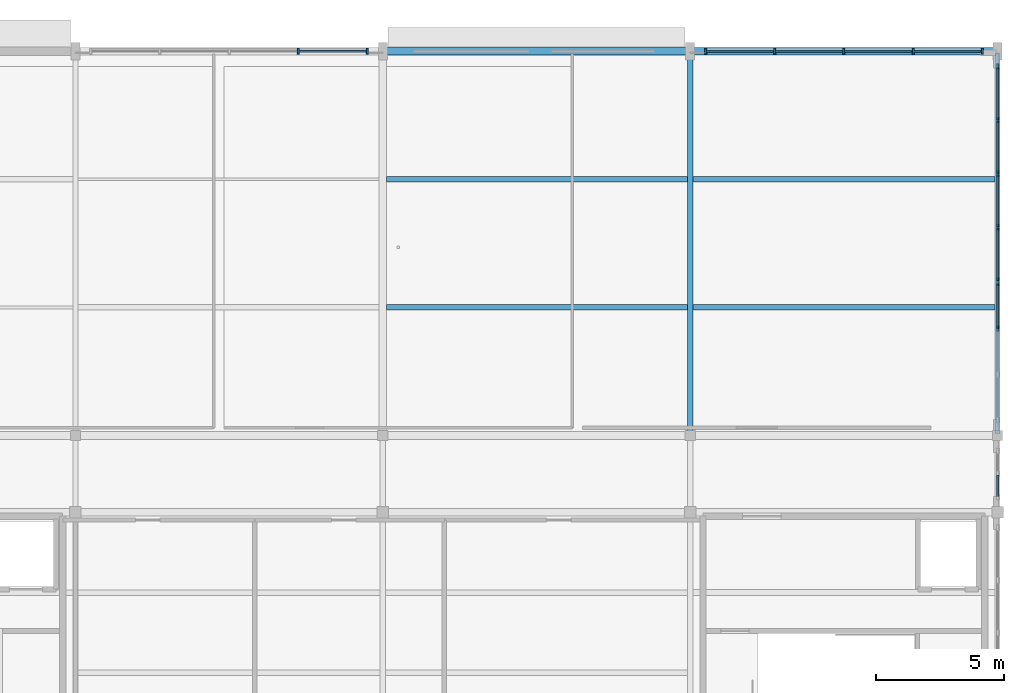
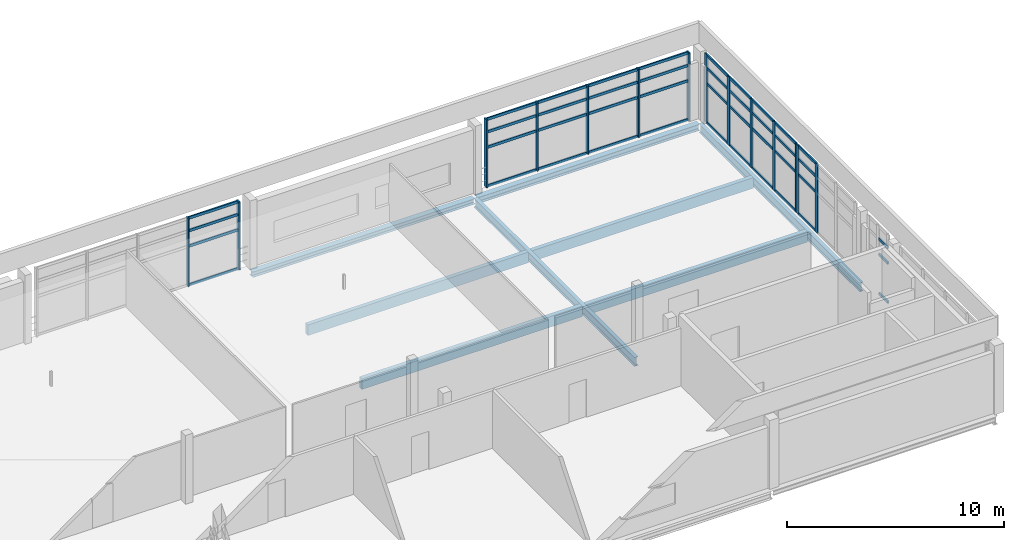
# One storey, part 3 of 9: 57 members, 8 beams, 5 elements without a shape of their own.
"""IFC4 building model written with IfcOpenShell, lengths in metres."""

from ifc_helpers import new_model, si_unit, direction, frame, origin, origin_2d, place, context, subcontext, project, spatial, rectangle, i_section, extrude, material, material_profile, profile_set, type_object, element, aggregate, save


model = new_model("IFC4")

# Units and contexts
model_context = context("Model", 3, precision=1e-05, world=origin(), true_north=direction((0.0, 1.0)))
body_context = subcontext(model_context, "Body", "Model", "MODEL_VIEW")
ifc_project = project(units=[si_unit("LENGTHUNIT", "METRE"), si_unit("AREAUNIT", "SQUARE_METRE"), si_unit("VOLUMEUNIT", "CUBIC_METRE"), si_unit("PLANEANGLEUNIT", "RADIAN"), si_unit("MASSUNIT", "GRAM", prefix="KILO"), si_unit("THERMODYNAMICTEMPERATUREUNIT", "KELVIN"), si_unit("POWERUNIT", "WATT")], contexts=[model_context])

# Site, building, storey
site_placement = place(None, origin())
site = spatial("IfcSite", under=ifc_project, at=site_placement, CompositionType="ELEMENT")
building_placement = place(site_placement, origin())
building = spatial("IfcBuilding", under=site, at=building_placement, Name="Solmara Park Aquatics Centre", CompositionType="ELEMENT")
storey_placement = place(building_placement, frame((0.0, 0.0, 18.60009765625)))
storey = spatial("IfcBuildingStorey", under=building, at=storey_placement, Name="L04", CompositionType="ELEMENT", Elevation=18.60009765625)

# Curtain wall, members
ifc_material_1 = material(Name="Anodised Aluminium Curtain Wall Framing", Category="aluminium")
curtain_wall_type_1 = type_object("IfcCurtainWallType", Name="ARC-CW-SYS04", PredefinedType="USERDEFINED", material=ifc_material_1)
curtain_wall_1_placement = place(storey_placement, origin())
curtain_wall_1 = element("IfcCurtainWall", 1, at=curtain_wall_1_placement, inside=storey, type_object=curtain_wall_type_1, Name="Curtain Wall CW-132", ObjectType="CURTAIN WALL", PredefinedType="USERDEFINED")
ifc_material_2 = material(Name="Anodised Aluminium Alloy 6063-T6", Category="aluminium")
ifc_material_profile_1 = material_profile(ifc_material_2, rectangle(XDim=0.074951171875, YDim=0.219970703125, at=origin_2d()), Name="ALU MULLION 75x220")
ifc_profile_set_1 = profile_set([ifc_material_profile_1], Name="Anodised Aluminium Alloy 6063-T6")
member_type_1 = type_object("IfcMemberType", Name="ARC-CWM-75x220", PredefinedType="MULLION", material=ifc_profile_set_1)
member_1_placement = place(storey_placement, frame((69.300048828125, 136.0, 0.0), z_axis=(0.0, 0.0, 1.0), x_axis=(1.0, 0.0, 0.0)))
member_1 = element("IfcMember", 2, at=member_1_placement, type_object=member_type_1, Name="CW-132 mullion 4", PredefinedType="MULLION", context=body_context, shape_type="SweptSolid", body=[
    extrude(rectangle(XDim=0.074951171875, YDim=0.219970703125, at=origin_2d()), origin(), (0.0, 0.0, 1.0), 3.83984375),
])
member_2_placement = place(storey_placement, frame((72.0, 136.0, 0.0), z_axis=(0.0, 0.0, 1.0), x_axis=(1.0, 0.0, 0.0)))
member_2 = element("IfcMember", 3, at=member_2_placement, type_object=member_type_1, Name="CW-132 mullion 5", PredefinedType="MULLION", context=body_context, shape_type="SweptSolid", body=[
    extrude(rectangle(XDim=0.074951171875, YDim=0.219970703125, at=origin_2d()), origin(), (0.0, 0.0, 1.0), 3.83984375),
])

curtain_wall_2_placement = place(storey_placement, origin())
curtain_wall_2 = element("IfcCurtainWall", 4, at=curtain_wall_2_placement, inside=storey, type_object=curtain_wall_type_1, Name="Curtain Wall CW-133", ObjectType="CURTAIN WALL", PredefinedType="USERDEFINED")
member_3_placement = place(storey_placement, frame((85.199951171875, 136.0, 0.0), z_axis=(0.0, 0.0, 1.0), x_axis=(1.0, 0.0, 0.0)))
member_3 = element("IfcMember", 5, at=member_3_placement, type_object=member_type_1, Name="CW-133 mullion 1", PredefinedType="MULLION", context=body_context, shape_type="SweptSolid", body=[
    extrude(rectangle(XDim=0.074951171875, YDim=0.219970703125, at=origin_2d()), origin(), (0.0, 0.0, 1.0), 3.83984375),
])
member_4_placement = place(storey_placement, frame((87.89990234375, 136.0, 0.0), z_axis=(0.0, 0.0, 1.0), x_axis=(1.0, 0.0, 0.0)))
member_4 = element("IfcMember", 6, at=member_4_placement, type_object=member_type_1, Name="CW-133 mullion 2", PredefinedType="MULLION", context=body_context, shape_type="SweptSolid", body=[
    extrude(rectangle(XDim=0.074951171875, YDim=0.219970703125, at=origin_2d()), origin(), (0.0, 0.0, 1.0), 3.83984375),
])
member_5_placement = place(storey_placement, frame((90.60009765625, 136.0, 0.0), z_axis=(0.0, 0.0, 1.0), x_axis=(1.0, 0.0, 0.0)))
member_5 = element("IfcMember", 7, at=member_5_placement, type_object=member_type_1, Name="CW-133 mullion 3", PredefinedType="MULLION", context=body_context, shape_type="SweptSolid", body=[
    extrude(rectangle(XDim=0.074951171875, YDim=0.219970703125, at=origin_2d()), origin(), (0.0, 0.0, 1.0), 3.83984375),
])
member_6_placement = place(storey_placement, frame((93.300048828125, 136.0, 0.0), z_axis=(0.0, 0.0, 1.0), x_axis=(1.0, 0.0, 0.0)))
member_6 = element("IfcMember", 8, at=member_6_placement, type_object=member_type_1, Name="CW-133 mullion 4", PredefinedType="MULLION", context=body_context, shape_type="SweptSolid", body=[
    extrude(rectangle(XDim=0.074951171875, YDim=0.219970703125, at=origin_2d()), origin(), (0.0, 0.0, 1.0), 3.83984375),
])
member_7_placement = place(storey_placement, frame((96.0, 136.0, 0.0), z_axis=(0.0, 0.0, 1.0), x_axis=(1.0, 0.0, 0.0)))
member_7 = element("IfcMember", 9, at=member_7_placement, type_object=member_type_1, Name="CW-133 mullion 5", PredefinedType="MULLION", context=body_context, shape_type="SweptSolid", body=[
    extrude(rectangle(XDim=0.074951171875, YDim=0.219970703125, at=origin_2d()), origin(), (0.0, 0.0, 1.0), 3.83984375),
])

curtain_wall_type_2 = type_object("IfcCurtainWallType", Name="ARC-CW-SYS06", PredefinedType="USERDEFINED", material=ifc_material_1)
curtain_wall_3_placement = place(storey_placement, origin())
curtain_wall_3 = element("IfcCurtainWall", 10, at=curtain_wall_3_placement, inside=storey, type_object=curtain_wall_type_2, Name="Curtain Wall CW-136", ObjectType="CURTAIN WALL", PredefinedType="USERDEFINED")
member_8_placement = place(storey_placement, frame((96.60009765625, 125.17333984375, 0.0), z_axis=(0.0, 0.0, 1.0), x_axis=(1.0, 0.0, 0.0)))
member_8 = element("IfcMember", 11, at=member_8_placement, type_object=member_type_1, Name="CW-136 mullion 3", PredefinedType="MULLION", context=body_context, shape_type="SweptSolid", body=[
    extrude(rectangle(XDim=0.074951171875, YDim=0.219970703125, at=origin_2d()), origin(), (0.0, 0.0, 1.0), 3.8798828125),
])
member_9_placement = place(storey_placement, frame((96.60009765625, 126.9599609375, 0.0), z_axis=(0.0, 0.0, 1.0), x_axis=(1.0, 0.0, 0.0)))
member_9 = element("IfcMember", 12, at=member_9_placement, type_object=member_type_1, Name="CW-136 mullion 4", PredefinedType="MULLION", context=body_context, shape_type="SweptSolid", body=[
    extrude(rectangle(XDim=0.074951171875, YDim=0.219970703125, at=origin_2d()), origin(), (0.0, 0.0, 1.0), 3.8798828125),
])

curtain_wall_4_placement = place(storey_placement, origin())
curtain_wall_4 = element("IfcCurtainWall", 13, at=curtain_wall_4_placement, inside=storey, type_object=curtain_wall_type_2, Name="Curtain Wall CW-137", ObjectType="CURTAIN WALL", PredefinedType="USERDEFINED")
member_10_placement = place(storey_placement, frame((96.60009765625, 127.0400390625, 0.0), z_axis=(0.0, 0.0, 1.0), x_axis=(1.0, 0.0, 0.0)))
member_10 = element("IfcMember", 14, at=member_10_placement, type_object=member_type_1, Name="CW-137 mullion 1", PredefinedType="MULLION", context=body_context, shape_type="SweptSolid", body=[
    extrude(rectangle(XDim=0.074951171875, YDim=0.219970703125, at=origin_2d()), origin(), (0.0, 0.0, 1.0), 3.8798828125),
])
member_11_placement = place(storey_placement, frame((96.60009765625, 129.1298828125, 0.0), z_axis=(0.0, 0.0, 1.0), x_axis=(1.0, 0.0, 0.0)))
member_11 = element("IfcMember", 15, at=member_11_placement, type_object=member_type_1, Name="CW-137 mullion 2", PredefinedType="MULLION", context=body_context, shape_type="SweptSolid", body=[
    extrude(rectangle(XDim=0.074951171875, YDim=0.219970703125, at=origin_2d()), origin(), (0.0, 0.0, 1.0), 3.8798828125),
])
member_12_placement = place(storey_placement, frame((96.60009765625, 131.219970703125, 0.0), z_axis=(0.0, 0.0, 1.0), x_axis=(1.0, 0.0, 0.0)))
member_12 = element("IfcMember", 16, at=member_12_placement, type_object=member_type_1, Name="CW-137 mullion 3", PredefinedType="MULLION", context=body_context, shape_type="SweptSolid", body=[
    extrude(rectangle(XDim=0.074951171875, YDim=0.219970703125, at=origin_2d()), origin(), (0.0, 0.0, 1.0), 3.8798828125),
])
member_13_placement = place(storey_placement, frame((96.60009765625, 133.31005859375, 0.0), z_axis=(0.0, 0.0, 1.0), x_axis=(1.0, 0.0, 0.0)))
member_13 = element("IfcMember", 17, at=member_13_placement, type_object=member_type_1, Name="CW-137 mullion 4", PredefinedType="MULLION", context=body_context, shape_type="SweptSolid", body=[
    extrude(rectangle(XDim=0.074951171875, YDim=0.219970703125, at=origin_2d()), origin(), (0.0, 0.0, 1.0), 3.8798828125),
])
member_14_placement = place(storey_placement, frame((96.60009765625, 135.39990234375, 0.0), z_axis=(0.0, 0.0, 1.0), x_axis=(1.0, 0.0, 0.0)))
member_14 = element("IfcMember", 18, at=member_14_placement, type_object=member_type_1, Name="CW-137 mullion 5", PredefinedType="MULLION", context=body_context, shape_type="SweptSolid", body=[
    extrude(rectangle(XDim=0.074951171875, YDim=0.219970703125, at=origin_2d()), origin(), (0.0, 0.0, 1.0), 3.8798828125),
])

# Member
ifc_material_profile_2 = material_profile(ifc_material_2, rectangle(XDim=0.074951171875, YDim=0.14990234375, at=origin_2d()), Name="ALU TRANSOM 75x150")
ifc_profile_set_2 = profile_set([ifc_material_profile_2], Name="Anodised Aluminium Alloy 6063-T6")
member_type_2 = type_object("IfcMemberType", Name="ARC-CWT-75x150", PredefinedType="USERDEFINED", material=ifc_profile_set_2)
member_15_placement = place(storey_placement, frame((69.320068359375, 136.0, 0.039794921875), z_axis=(1.0, 0.0, 0.0), x_axis=(0.0, 1.0, 0.0)))
member_15 = element("IfcMember", 19, at=member_15_placement, type_object=member_type_2, Name="CW-132 transom 13", ObjectType="TRANSOM", PredefinedType="USERDEFINED", context=body_context, shape_type="SweptSolid", body=[
    extrude(rectangle(XDim=0.074951171875, YDim=0.14990234375, at=origin_2d()), origin(), (0.0, 0.0, 1.0), 2.619873046875),
])

member_16_placement = place(storey_placement, frame((69.320068359375, 136.0, 2.22705078125), z_axis=(1.0, 0.0, 0.0), x_axis=(0.0, 1.0, 0.0)))
member_16 = element("IfcMember", 20, at=member_16_placement, type_object=member_type_2, Name="CW-132 transom 14", ObjectType="TRANSOM", PredefinedType="USERDEFINED", context=body_context, shape_type="SweptSolid", body=[
    extrude(rectangle(XDim=0.074951171875, YDim=0.14990234375, at=origin_2d()), origin(), (0.0, 0.0, 1.0), 2.619873046875),
])

member_17_placement = place(storey_placement, frame((69.320068359375, 136.0, 3.08984375), z_axis=(1.0, 0.0, 0.0), x_axis=(0.0, 1.0, 0.0)))
member_17 = element("IfcMember", 21, at=member_17_placement, type_object=member_type_2, Name="CW-132 transom 15", ObjectType="TRANSOM", PredefinedType="USERDEFINED", context=body_context, shape_type="SweptSolid", body=[
    extrude(rectangle(XDim=0.074951171875, YDim=0.14990234375, at=origin_2d()), origin(), (0.0, 0.0, 1.0), 2.619873046875),
])

member_18_placement = place(storey_placement, frame((69.320068359375, 136.0, 3.7998046875), z_axis=(1.0, 0.0, 0.0), x_axis=(0.0, 1.0, 0.0)))
member_18 = element("IfcMember", 22, at=member_18_placement, type_object=member_type_2, Name="CW-132 transom 16", ObjectType="TRANSOM", PredefinedType="USERDEFINED", context=body_context, shape_type="SweptSolid", body=[
    extrude(rectangle(XDim=0.074951171875, YDim=0.14990234375, at=origin_2d()), origin(), (0.0, 0.0, 1.0), 2.619873046875),
])

aggregate(curtain_wall_1, [member_1, member_2, member_15, member_16, member_17, member_18])

member_19_placement = place(storey_placement, frame((85.219970703125, 136.0, 0.039794921875), z_axis=(1.0, 0.0, 0.0), x_axis=(0.0, 1.0, 0.0)))
member_19 = element("IfcMember", 23, at=member_19_placement, type_object=member_type_2, Name="CW-133 transom 1", ObjectType="TRANSOM", PredefinedType="USERDEFINED", context=body_context, shape_type="SweptSolid", body=[
    extrude(rectangle(XDim=0.074951171875, YDim=0.14990234375, at=origin_2d()), origin(), (0.0, 0.0, 1.0), 2.6201171875),
])

member_20_placement = place(storey_placement, frame((85.219970703125, 136.0, 2.22705078125), z_axis=(1.0, 0.0, 0.0), x_axis=(0.0, 1.0, 0.0)))
member_20 = element("IfcMember", 24, at=member_20_placement, type_object=member_type_2, Name="CW-133 transom 2", ObjectType="TRANSOM", PredefinedType="USERDEFINED", context=body_context, shape_type="SweptSolid", body=[
    extrude(rectangle(XDim=0.074951171875, YDim=0.14990234375, at=origin_2d()), origin(), (0.0, 0.0, 1.0), 2.6201171875),
])

member_21_placement = place(storey_placement, frame((85.219970703125, 136.0, 3.08984375), z_axis=(1.0, 0.0, 0.0), x_axis=(0.0, 1.0, 0.0)))
member_21 = element("IfcMember", 25, at=member_21_placement, type_object=member_type_2, Name="CW-133 transom 3", ObjectType="TRANSOM", PredefinedType="USERDEFINED", context=body_context, shape_type="SweptSolid", body=[
    extrude(rectangle(XDim=0.074951171875, YDim=0.14990234375, at=origin_2d()), origin(), (0.0, 0.0, 1.0), 2.6201171875),
])

member_22_placement = place(storey_placement, frame((85.219970703125, 136.0, 3.7998046875), z_axis=(1.0, 0.0, 0.0), x_axis=(0.0, 1.0, 0.0)))
member_22 = element("IfcMember", 26, at=member_22_placement, type_object=member_type_2, Name="CW-133 transom 4", ObjectType="TRANSOM", PredefinedType="USERDEFINED", context=body_context, shape_type="SweptSolid", body=[
    extrude(rectangle(XDim=0.074951171875, YDim=0.14990234375, at=origin_2d()), origin(), (0.0, 0.0, 1.0), 2.6201171875),
])

member_23_placement = place(storey_placement, frame((87.919921875, 136.0, 0.039794921875), z_axis=(1.0, 0.0, 0.0), x_axis=(0.0, 1.0, 0.0)))
member_23 = element("IfcMember", 27, at=member_23_placement, type_object=member_type_2, Name="CW-133 transom 5", ObjectType="TRANSOM", PredefinedType="USERDEFINED", context=body_context, shape_type="SweptSolid", body=[
    extrude(rectangle(XDim=0.074951171875, YDim=0.14990234375, at=origin_2d()), origin(), (0.0, 0.0, 1.0), 2.6201171875),
])

member_24_placement = place(storey_placement, frame((87.919921875, 136.0, 2.22705078125), z_axis=(1.0, 0.0, 0.0), x_axis=(0.0, 1.0, 0.0)))
member_24 = element("IfcMember", 28, at=member_24_placement, type_object=member_type_2, Name="CW-133 transom 6", ObjectType="TRANSOM", PredefinedType="USERDEFINED", context=body_context, shape_type="SweptSolid", body=[
    extrude(rectangle(XDim=0.074951171875, YDim=0.14990234375, at=origin_2d()), origin(), (0.0, 0.0, 1.0), 2.6201171875),
])

member_25_placement = place(storey_placement, frame((87.919921875, 136.0, 3.08984375), z_axis=(1.0, 0.0, 0.0), x_axis=(0.0, 1.0, 0.0)))
member_25 = element("IfcMember", 29, at=member_25_placement, type_object=member_type_2, Name="CW-133 transom 7", ObjectType="TRANSOM", PredefinedType="USERDEFINED", context=body_context, shape_type="SweptSolid", body=[
    extrude(rectangle(XDim=0.074951171875, YDim=0.14990234375, at=origin_2d()), origin(), (0.0, 0.0, 1.0), 2.6201171875),
])

member_26_placement = place(storey_placement, frame((87.919921875, 136.0, 3.7998046875), z_axis=(1.0, 0.0, 0.0), x_axis=(0.0, 1.0, 0.0)))
member_26 = element("IfcMember", 30, at=member_26_placement, type_object=member_type_2, Name="CW-133 transom 8", ObjectType="TRANSOM", PredefinedType="USERDEFINED", context=body_context, shape_type="SweptSolid", body=[
    extrude(rectangle(XDim=0.074951171875, YDim=0.14990234375, at=origin_2d()), origin(), (0.0, 0.0, 1.0), 2.6201171875),
])

member_27_placement = place(storey_placement, frame((90.6201171875, 136.0, 0.039794921875), z_axis=(1.0, 0.0, 0.0), x_axis=(0.0, 1.0, 0.0)))
member_27 = element("IfcMember", 31, at=member_27_placement, type_object=member_type_2, Name="CW-133 transom 9", ObjectType="TRANSOM", PredefinedType="USERDEFINED", context=body_context, shape_type="SweptSolid", body=[
    extrude(rectangle(XDim=0.074951171875, YDim=0.14990234375, at=origin_2d()), origin(), (0.0, 0.0, 1.0), 2.619873046875),
])

member_28_placement = place(storey_placement, frame((90.6201171875, 136.0, 2.22705078125), z_axis=(1.0, 0.0, 0.0), x_axis=(0.0, 1.0, 0.0)))
member_28 = element("IfcMember", 32, at=member_28_placement, type_object=member_type_2, Name="CW-133 transom 10", ObjectType="TRANSOM", PredefinedType="USERDEFINED", context=body_context, shape_type="SweptSolid", body=[
    extrude(rectangle(XDim=0.074951171875, YDim=0.14990234375, at=origin_2d()), origin(), (0.0, 0.0, 1.0), 2.619873046875),
])

member_29_placement = place(storey_placement, frame((90.6201171875, 136.0, 3.08984375), z_axis=(1.0, 0.0, 0.0), x_axis=(0.0, 1.0, 0.0)))
member_29 = element("IfcMember", 33, at=member_29_placement, type_object=member_type_2, Name="CW-133 transom 11", ObjectType="TRANSOM", PredefinedType="USERDEFINED", context=body_context, shape_type="SweptSolid", body=[
    extrude(rectangle(XDim=0.074951171875, YDim=0.14990234375, at=origin_2d()), origin(), (0.0, 0.0, 1.0), 2.619873046875),
])

member_30_placement = place(storey_placement, frame((90.6201171875, 136.0, 3.7998046875), z_axis=(1.0, 0.0, 0.0), x_axis=(0.0, 1.0, 0.0)))
member_30 = element("IfcMember", 34, at=member_30_placement, type_object=member_type_2, Name="CW-133 transom 12", ObjectType="TRANSOM", PredefinedType="USERDEFINED", context=body_context, shape_type="SweptSolid", body=[
    extrude(rectangle(XDim=0.074951171875, YDim=0.14990234375, at=origin_2d()), origin(), (0.0, 0.0, 1.0), 2.619873046875),
])

member_31_placement = place(storey_placement, frame((93.320068359375, 136.0, 0.039794921875), z_axis=(1.0, 0.0, 0.0), x_axis=(0.0, 1.0, 0.0)))
member_31 = element("IfcMember", 35, at=member_31_placement, type_object=member_type_2, Name="CW-133 transom 13", ObjectType="TRANSOM", PredefinedType="USERDEFINED", context=body_context, shape_type="SweptSolid", body=[
    extrude(rectangle(XDim=0.074951171875, YDim=0.14990234375, at=origin_2d()), origin(), (0.0, 0.0, 1.0), 2.619873046875),
])

member_32_placement = place(storey_placement, frame((93.320068359375, 136.0, 2.22705078125), z_axis=(1.0, 0.0, 0.0), x_axis=(0.0, 1.0, 0.0)))
member_32 = element("IfcMember", 36, at=member_32_placement, type_object=member_type_2, Name="CW-133 transom 14", ObjectType="TRANSOM", PredefinedType="USERDEFINED", context=body_context, shape_type="SweptSolid", body=[
    extrude(rectangle(XDim=0.074951171875, YDim=0.14990234375, at=origin_2d()), origin(), (0.0, 0.0, 1.0), 2.619873046875),
])

member_33_placement = place(storey_placement, frame((93.320068359375, 136.0, 3.08984375), z_axis=(1.0, 0.0, 0.0), x_axis=(0.0, 1.0, 0.0)))
member_33 = element("IfcMember", 37, at=member_33_placement, type_object=member_type_2, Name="CW-133 transom 15", ObjectType="TRANSOM", PredefinedType="USERDEFINED", context=body_context, shape_type="SweptSolid", body=[
    extrude(rectangle(XDim=0.074951171875, YDim=0.14990234375, at=origin_2d()), origin(), (0.0, 0.0, 1.0), 2.619873046875),
])

member_34_placement = place(storey_placement, frame((93.320068359375, 136.0, 3.7998046875), z_axis=(1.0, 0.0, 0.0), x_axis=(0.0, 1.0, 0.0)))
member_34 = element("IfcMember", 38, at=member_34_placement, type_object=member_type_2, Name="CW-133 transom 16", ObjectType="TRANSOM", PredefinedType="USERDEFINED", context=body_context, shape_type="SweptSolid", body=[
    extrude(rectangle(XDim=0.074951171875, YDim=0.14990234375, at=origin_2d()), origin(), (0.0, 0.0, 1.0), 2.619873046875),
])

aggregate(curtain_wall_2, [member_3, member_4, member_5, member_6, member_7, member_19, member_20, member_21, member_22, member_23, member_24, member_25, member_26, member_27, member_28, member_29, member_30, member_31, member_32, member_33, member_34])

# Curtain wall, members
curtain_wall_5_placement = place(storey_placement, origin())
curtain_wall_5 = element("IfcCurtainWall", 39, at=curtain_wall_5_placement, inside=storey, type_object=curtain_wall_type_2, Name="Curtain Wall CW-135", ObjectType="CURTAIN WALL", PredefinedType="USERDEFINED")
member_35_placement = place(storey_placement, frame((96.60009765625, 118.6201171875, 0.039794921875), z_axis=(0.0, 1.0, 0.0), x_axis=(-1.0, 0.0, 0.0)))
member_35 = element("IfcMember", 40, at=member_35_placement, type_object=member_type_2, Name="CW-135 transom 1", ObjectType="TRANSOM", PredefinedType="USERDEFINED", context=body_context, shape_type="SweptSolid", body=[
    extrude(rectangle(XDim=0.074951171875, YDim=0.14990234375, at=origin_2d()), origin(), (0.0, 0.0, 1.0), 0.81982421875),
])
member_36_placement = place(storey_placement, frame((96.60009765625, 118.6201171875, 2.250244140625), z_axis=(0.0, 1.0, 0.0), x_axis=(-1.0, 0.0, 0.0)))
member_36 = element("IfcMember", 41, at=member_36_placement, type_object=member_type_2, Name="CW-135 transom 2", ObjectType="TRANSOM", PredefinedType="USERDEFINED", context=body_context, shape_type="SweptSolid", body=[
    extrude(rectangle(XDim=0.074951171875, YDim=0.14990234375, at=origin_2d()), origin(), (0.0, 0.0, 1.0), 0.81982421875),
])
member_37_placement = place(storey_placement, frame((96.60009765625, 118.6201171875, 3.1298828125), z_axis=(0.0, 1.0, 0.0), x_axis=(-1.0, 0.0, 0.0)))
member_37 = element("IfcMember", 42, at=member_37_placement, type_object=member_type_2, Name="CW-135 transom 3", ObjectType="TRANSOM", PredefinedType="USERDEFINED", context=body_context, shape_type="SweptSolid", body=[
    extrude(rectangle(XDim=0.074951171875, YDim=0.14990234375, at=origin_2d()), origin(), (0.0, 0.0, 1.0), 0.81982421875),
])
aggregate(curtain_wall_5, [member_35, member_36, member_37])

# Member
member_38_placement = place(storey_placement, frame((96.60009765625, 125.193359375, 0.039794921875), z_axis=(0.0, 1.0, 0.0), x_axis=(-1.0, 0.0, 0.0)))
member_38 = element("IfcMember", 43, at=member_38_placement, type_object=member_type_2, Name="CW-136 transom 9", ObjectType="TRANSOM", PredefinedType="USERDEFINED", context=body_context, shape_type="SweptSolid", body=[
    extrude(rectangle(XDim=0.074951171875, YDim=0.14990234375, at=origin_2d()), origin(), (0.0, 0.0, 1.0), 1.70654296875),
])

member_39_placement = place(storey_placement, frame((96.60009765625, 125.193359375, 2.250244140625), z_axis=(0.0, 1.0, 0.0), x_axis=(-1.0, 0.0, 0.0)))
member_39 = element("IfcMember", 44, at=member_39_placement, type_object=member_type_2, Name="CW-136 transom 10", ObjectType="TRANSOM", PredefinedType="USERDEFINED", context=body_context, shape_type="SweptSolid", body=[
    extrude(rectangle(XDim=0.074951171875, YDim=0.14990234375, at=origin_2d()), origin(), (0.0, 0.0, 1.0), 1.70654296875),
])

member_40_placement = place(storey_placement, frame((96.60009765625, 125.193359375, 3.1298828125), z_axis=(0.0, 1.0, 0.0), x_axis=(-1.0, 0.0, 0.0)))
member_40 = element("IfcMember", 45, at=member_40_placement, type_object=member_type_2, Name="CW-136 transom 11", ObjectType="TRANSOM", PredefinedType="USERDEFINED", context=body_context, shape_type="SweptSolid", body=[
    extrude(rectangle(XDim=0.074951171875, YDim=0.14990234375, at=origin_2d()), origin(), (0.0, 0.0, 1.0), 1.70654296875),
])

member_41_placement = place(storey_placement, frame((96.60009765625, 125.193359375, 3.83984375), z_axis=(0.0, 1.0, 0.0), x_axis=(-1.0, 0.0, 0.0)))
member_41 = element("IfcMember", 46, at=member_41_placement, type_object=member_type_2, Name="CW-136 transom 12", ObjectType="TRANSOM", PredefinedType="USERDEFINED", context=body_context, shape_type="SweptSolid", body=[
    extrude(rectangle(XDim=0.074951171875, YDim=0.14990234375, at=origin_2d()), origin(), (0.0, 0.0, 1.0), 1.70654296875),
])

aggregate(curtain_wall_3, [member_8, member_9, member_38, member_39, member_40, member_41])

member_42_placement = place(storey_placement, frame((96.60009765625, 127.06005859375, 0.039794921875), z_axis=(0.0, 1.0, 0.0), x_axis=(-1.0, 0.0, 0.0)))
member_42 = element("IfcMember", 47, at=member_42_placement, type_object=member_type_2, Name="CW-137 transom 1", ObjectType="TRANSOM", PredefinedType="USERDEFINED", context=body_context, shape_type="SweptSolid", body=[
    extrude(rectangle(XDim=0.074951171875, YDim=0.14990234375, at=origin_2d()), origin(), (0.0, 0.0, 1.0), 2.010009765625),
])

member_43_placement = place(storey_placement, frame((96.60009765625, 127.06005859375, 2.250244140625), z_axis=(0.0, 1.0, 0.0), x_axis=(-1.0, 0.0, 0.0)))
member_43 = element("IfcMember", 48, at=member_43_placement, type_object=member_type_2, Name="CW-137 transom 2", ObjectType="TRANSOM", PredefinedType="USERDEFINED", context=body_context, shape_type="SweptSolid", body=[
    extrude(rectangle(XDim=0.074951171875, YDim=0.14990234375, at=origin_2d()), origin(), (0.0, 0.0, 1.0), 2.010009765625),
])

member_44_placement = place(storey_placement, frame((96.60009765625, 127.06005859375, 3.1298828125), z_axis=(0.0, 1.0, 0.0), x_axis=(-1.0, 0.0, 0.0)))
member_44 = element("IfcMember", 49, at=member_44_placement, type_object=member_type_2, Name="CW-137 transom 3", ObjectType="TRANSOM", PredefinedType="USERDEFINED", context=body_context, shape_type="SweptSolid", body=[
    extrude(rectangle(XDim=0.074951171875, YDim=0.14990234375, at=origin_2d()), origin(), (0.0, 0.0, 1.0), 2.010009765625),
])

member_45_placement = place(storey_placement, frame((96.60009765625, 127.06005859375, 3.83984375), z_axis=(0.0, 1.0, 0.0), x_axis=(-1.0, 0.0, 0.0)))
member_45 = element("IfcMember", 50, at=member_45_placement, type_object=member_type_2, Name="CW-137 transom 4", ObjectType="TRANSOM", PredefinedType="USERDEFINED", context=body_context, shape_type="SweptSolid", body=[
    extrude(rectangle(XDim=0.074951171875, YDim=0.14990234375, at=origin_2d()), origin(), (0.0, 0.0, 1.0), 2.010009765625),
])

member_46_placement = place(storey_placement, frame((96.60009765625, 129.14990234375, 0.039794921875), z_axis=(0.0, 1.0, 0.0), x_axis=(-1.0, 0.0, 0.0)))
member_46 = element("IfcMember", 51, at=member_46_placement, type_object=member_type_2, Name="CW-137 transom 5", ObjectType="TRANSOM", PredefinedType="USERDEFINED", context=body_context, shape_type="SweptSolid", body=[
    extrude(rectangle(XDim=0.074951171875, YDim=0.14990234375, at=origin_2d()), origin(), (0.0, 0.0, 1.0), 2.010009765625),
])

member_47_placement = place(storey_placement, frame((96.60009765625, 129.14990234375, 2.250244140625), z_axis=(0.0, 1.0, 0.0), x_axis=(-1.0, 0.0, 0.0)))
member_47 = element("IfcMember", 52, at=member_47_placement, type_object=member_type_2, Name="CW-137 transom 6", ObjectType="TRANSOM", PredefinedType="USERDEFINED", context=body_context, shape_type="SweptSolid", body=[
    extrude(rectangle(XDim=0.074951171875, YDim=0.14990234375, at=origin_2d()), origin(), (0.0, 0.0, 1.0), 2.010009765625),
])

member_48_placement = place(storey_placement, frame((96.60009765625, 129.14990234375, 3.1298828125), z_axis=(0.0, 1.0, 0.0), x_axis=(-1.0, 0.0, 0.0)))
member_48 = element("IfcMember", 53, at=member_48_placement, type_object=member_type_2, Name="CW-137 transom 7", ObjectType="TRANSOM", PredefinedType="USERDEFINED", context=body_context, shape_type="SweptSolid", body=[
    extrude(rectangle(XDim=0.074951171875, YDim=0.14990234375, at=origin_2d()), origin(), (0.0, 0.0, 1.0), 2.010009765625),
])

member_49_placement = place(storey_placement, frame((96.60009765625, 129.14990234375, 3.83984375), z_axis=(0.0, 1.0, 0.0), x_axis=(-1.0, 0.0, 0.0)))
member_49 = element("IfcMember", 54, at=member_49_placement, type_object=member_type_2, Name="CW-137 transom 8", ObjectType="TRANSOM", PredefinedType="USERDEFINED", context=body_context, shape_type="SweptSolid", body=[
    extrude(rectangle(XDim=0.074951171875, YDim=0.14990234375, at=origin_2d()), origin(), (0.0, 0.0, 1.0), 2.010009765625),
])

member_50_placement = place(storey_placement, frame((96.60009765625, 131.239990234375, 0.039794921875), z_axis=(0.0, 1.0, 0.0), x_axis=(-1.0, 0.0, 0.0)))
member_50 = element("IfcMember", 55, at=member_50_placement, type_object=member_type_2, Name="CW-137 transom 9", ObjectType="TRANSOM", PredefinedType="USERDEFINED", context=body_context, shape_type="SweptSolid", body=[
    extrude(rectangle(XDim=0.074951171875, YDim=0.14990234375, at=origin_2d()), origin(), (0.0, 0.0, 1.0), 2.010009765625),
])

member_51_placement = place(storey_placement, frame((96.60009765625, 131.239990234375, 2.250244140625), z_axis=(0.0, 1.0, 0.0), x_axis=(-1.0, 0.0, 0.0)))
member_51 = element("IfcMember", 56, at=member_51_placement, type_object=member_type_2, Name="CW-137 transom 10", ObjectType="TRANSOM", PredefinedType="USERDEFINED", context=body_context, shape_type="SweptSolid", body=[
    extrude(rectangle(XDim=0.074951171875, YDim=0.14990234375, at=origin_2d()), origin(), (0.0, 0.0, 1.0), 2.010009765625),
])

member_52_placement = place(storey_placement, frame((96.60009765625, 131.239990234375, 3.1298828125), z_axis=(0.0, 1.0, 0.0), x_axis=(-1.0, 0.0, 0.0)))
member_52 = element("IfcMember", 57, at=member_52_placement, type_object=member_type_2, Name="CW-137 transom 11", ObjectType="TRANSOM", PredefinedType="USERDEFINED", context=body_context, shape_type="SweptSolid", body=[
    extrude(rectangle(XDim=0.074951171875, YDim=0.14990234375, at=origin_2d()), origin(), (0.0, 0.0, 1.0), 2.010009765625),
])

member_53_placement = place(storey_placement, frame((96.60009765625, 131.239990234375, 3.83984375), z_axis=(0.0, 1.0, 0.0), x_axis=(-1.0, 0.0, 0.0)))
member_53 = element("IfcMember", 58, at=member_53_placement, type_object=member_type_2, Name="CW-137 transom 12", ObjectType="TRANSOM", PredefinedType="USERDEFINED", context=body_context, shape_type="SweptSolid", body=[
    extrude(rectangle(XDim=0.074951171875, YDim=0.14990234375, at=origin_2d()), origin(), (0.0, 0.0, 1.0), 2.010009765625),
])

member_54_placement = place(storey_placement, frame((96.60009765625, 133.330078125, 0.039794921875), z_axis=(0.0, 1.0, 0.0), x_axis=(-1.0, 0.0, 0.0)))
member_54 = element("IfcMember", 59, at=member_54_placement, type_object=member_type_2, Name="CW-137 transom 13", ObjectType="TRANSOM", PredefinedType="USERDEFINED", context=body_context, shape_type="SweptSolid", body=[
    extrude(rectangle(XDim=0.074951171875, YDim=0.14990234375, at=origin_2d()), origin(), (0.0, 0.0, 1.0), 2.010009765625),
])

member_55_placement = place(storey_placement, frame((96.60009765625, 133.330078125, 2.250244140625), z_axis=(0.0, 1.0, 0.0), x_axis=(-1.0, 0.0, 0.0)))
member_55 = element("IfcMember", 60, at=member_55_placement, type_object=member_type_2, Name="CW-137 transom 14", ObjectType="TRANSOM", PredefinedType="USERDEFINED", context=body_context, shape_type="SweptSolid", body=[
    extrude(rectangle(XDim=0.074951171875, YDim=0.14990234375, at=origin_2d()), origin(), (0.0, 0.0, 1.0), 2.010009765625),
])

member_56_placement = place(storey_placement, frame((96.60009765625, 133.330078125, 3.1298828125), z_axis=(0.0, 1.0, 0.0), x_axis=(-1.0, 0.0, 0.0)))
member_56 = element("IfcMember", 61, at=member_56_placement, type_object=member_type_2, Name="CW-137 transom 15", ObjectType="TRANSOM", PredefinedType="USERDEFINED", context=body_context, shape_type="SweptSolid", body=[
    extrude(rectangle(XDim=0.074951171875, YDim=0.14990234375, at=origin_2d()), origin(), (0.0, 0.0, 1.0), 2.010009765625),
])

member_57_placement = place(storey_placement, frame((96.60009765625, 133.330078125, 3.83984375), z_axis=(0.0, 1.0, 0.0), x_axis=(-1.0, 0.0, 0.0)))
member_57 = element("IfcMember", 62, at=member_57_placement, type_object=member_type_2, Name="CW-137 transom 16", ObjectType="TRANSOM", PredefinedType="USERDEFINED", context=body_context, shape_type="SweptSolid", body=[
    extrude(rectangle(XDim=0.074951171875, YDim=0.14990234375, at=origin_2d()), origin(), (0.0, 0.0, 1.0), 2.010009765625),
])

aggregate(curtain_wall_4, [member_10, member_11, member_12, member_13, member_14, member_42, member_43, member_44, member_45, member_46, member_47, member_48, member_49, member_50, member_51, member_52, member_53, member_54, member_55, member_56, member_57])

# Beams
ifc_material_3 = material(Name="Structural Steel S355", Category="steel")
ifc_material_profile_3 = material_profile(ifc_material_3, i_section(OverallWidth=0.300048828125, OverallDepth=0.31005859375, WebThickness=0.009033203125, FlangeThickness=0.015380859375, FilletRadius=0.027099609375, at=origin_2d()), Name="HEA 320")
ifc_profile_set_3 = profile_set([ifc_material_profile_3], Name="Structural Steel S355")
beam_type_1 = type_object("IfcBeamType", Name="STR-BM-HEA320", PredefinedType="BEAM", material=ifc_profile_set_3)
beam_1_placement = place(storey_placement, frame((72.679931640625, 136.0, -0.4951171875), z_axis=(1.0, 0.0, 0.0), x_axis=(0.0, 1.0, 0.0)))
element("IfcBeam", 63, at=beam_1_placement, inside=storey, type_object=beam_type_1, Name="Girder BM-L04-0498", PredefinedType="BEAM", context=body_context, shape_type="SweptSolid", body=[
    extrude(i_section(OverallWidth=0.300048828125, OverallDepth=0.31005859375, WebThickness=0.009033203125, FlangeThickness=0.015380859375, FilletRadius=0.027099609375, at=origin_2d()), origin(), (0.0, 0.0, 1.0), 11.840087890625),
])
ifc_material_profile_4 = material_profile(ifc_material_3, i_section(OverallWidth=0.300048828125, OverallDepth=0.35009765625, WebThickness=0.010009765625, FlangeThickness=0.017578125, FilletRadius=0.027099609375, at=origin_2d()), Name="HEA 360")
ifc_profile_set_4 = profile_set([ifc_material_profile_4], Name="Structural Steel S355")
beam_type_2 = type_object("IfcBeamType", Name="STR-BM-HEA360", PredefinedType="BEAM", material=ifc_profile_set_4)
beam_2_placement = place(storey_placement, frame((84.679931640625, 136.0, -0.51513671875), z_axis=(1.0, 0.0, 0.0), x_axis=(0.0, 1.0, 0.0)))
element("IfcBeam", 64, at=beam_2_placement, inside=storey, type_object=beam_type_2, Name="Girder BM-L04-0499", PredefinedType="BEAM", context=body_context, shape_type="SweptSolid", body=[
    extrude(i_section(OverallWidth=0.300048828125, OverallDepth=0.35009765625, WebThickness=0.010009765625, FlangeThickness=0.017578125, FilletRadius=0.027099609375, at=origin_2d()), origin(), (0.0, 0.0, 1.0), 11.840087890625),
])
ifc_material_profile_5 = material_profile(ifc_material_3, i_section(OverallWidth=0.199951171875, OverallDepth=0.5, WebThickness=0.01025390625, FlangeThickness=0.01611328125, FilletRadius=0.02099609375, at=origin_2d()), Name="IPE 500")
ifc_profile_set_5 = profile_set([ifc_material_profile_5], Name="Structural Steel S355")
beam_type_3 = type_object("IfcBeamType", Name="STR-BM-IPE500", PredefinedType="BEAM", material=ifc_profile_set_5)
for number, where, z_axis, x_axis, name in (
    (65, (84.60009765625, 121.080078125, -0.590087890625), (0.0, 1.0, 0.0), (-1.0, 0.0, 0.0), "Girder BM-L04-0514"),
    (66, (96.60009765625, 121.080078125, -0.590087890625), (0.0, 1.0, 0.0), (-1.0, 0.0, 0.0), "Girder BM-L04-0517"),
):
    element("IfcBeam", number, at=place(storey_placement, frame(where, z_axis=z_axis, x_axis=x_axis)), inside=storey, type_object=beam_type_3, Name=name, PredefinedType="BEAM", context=body_context, shape_type="SweptSolid", body=[
        extrude(i_section(OverallWidth=0.199951171875, OverallDepth=0.5, WebThickness=0.01025390625, FlangeThickness=0.01611328125, FilletRadius=0.02099609375, at=origin_2d()), origin(), (0.0, 0.0, 1.0), 14.83984375),
    ])
ifc_material_4 = material(Name="Glulam Timber GL28h", Category="wood")
ifc_material_profile_6 = material_profile(ifc_material_4, rectangle(XDim=0.219970703125, YDim=0.60009765625, at=origin_2d()), Name="GL28h 220x600")
ifc_profile_set_6 = profile_set([ifc_material_profile_6], Name="Glulam Timber GL28h")
beam_type_4 = type_object("IfcBeamType", Name="STR-JST-GL220x600", PredefinedType="JOIST", material=ifc_profile_set_6)
for number, where, z_axis, x_axis, name in (
    (67, (72.75, 126.0, -0.64013671875), (1.0, 0.0, 0.0), (0.0, 1.0, 0.0), "Floor Joist JST-L04-0277"),
    (68, (72.75, 131.0, -0.64013671875), (1.0, 0.0, 0.0), (0.0, 1.0, 0.0), "Floor Joist JST-L04-0278"),
):
    element("IfcBeam", number, at=place(storey_placement, frame(where, z_axis=z_axis, x_axis=x_axis)), inside=storey, type_object=beam_type_4, Name=name, PredefinedType="JOIST", context=body_context, shape_type="SweptSolid", body=[
        extrude(rectangle(XDim=0.219970703125, YDim=0.60009765625, at=origin_2d()), origin(), (0.0, 0.0, 1.0), 11.75),
    ])
for number, where, z_axis, x_axis, name in (
    (69, (84.699951171875, 126.0, -0.64013671875), (1.0, 0.0, 0.0), (0.0, 1.0, 0.0), "Floor Joist JST-L04-0280"),
    (70, (84.699951171875, 131.0, -0.64013671875), (1.0, 0.0, 0.0), (0.0, 1.0, 0.0), "Floor Joist JST-L04-0281"),
):
    element("IfcBeam", number, at=place(storey_placement, frame(where, z_axis=z_axis, x_axis=x_axis)), inside=storey, type_object=beam_type_4, Name=name, PredefinedType="JOIST", context=body_context, shape_type="SweptSolid", body=[
        extrude(rectangle(XDim=0.219970703125, YDim=0.60009765625, at=origin_2d()), origin(), (0.0, 0.0, 1.0), 11.800048828125),
    ])

save(model, "model.ifc")
